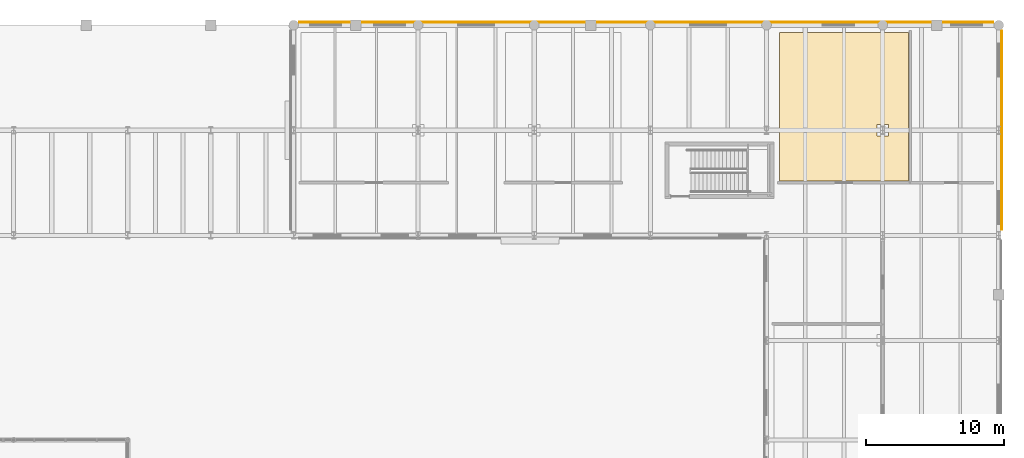
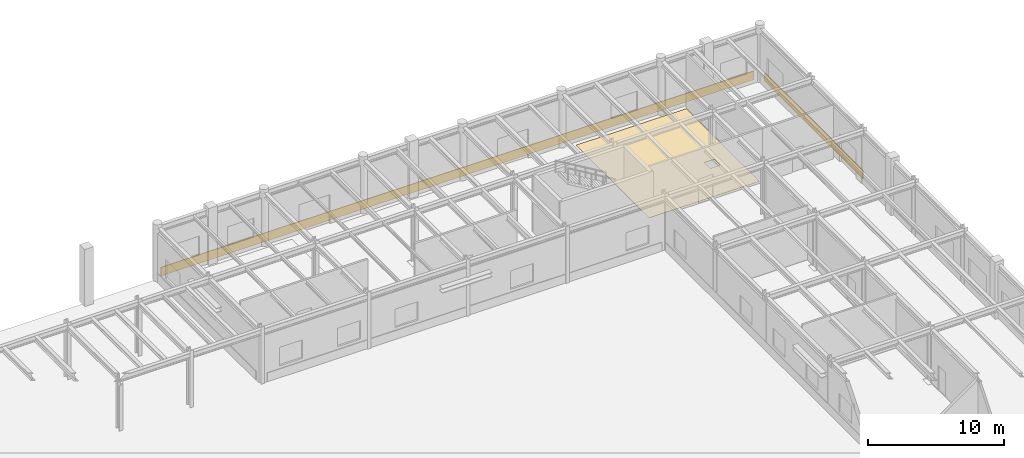
# One storey, part 64 of 64: 3 coverings.
"""IFC4 building model written with IfcOpenShell, lengths in metres."""

from ifc_helpers import new_model, si_unit, direction, frame, origin, origin_2d, place, context, subcontext, project, spatial, polyline, rectangle, outline, extrude, material, layer, layer_set, type_object, element, save


model = new_model("IFC4")

# Units and contexts
model_context = context("Model", 3, precision=1e-05, world=origin(), true_north=direction((0.0, 1.0)))
body_context = subcontext(model_context, "Body", "Model", "MODEL_VIEW")
ifc_project = project(units=[si_unit("LENGTHUNIT", "METRE"), si_unit("AREAUNIT", "SQUARE_METRE"), si_unit("VOLUMEUNIT", "CUBIC_METRE"), si_unit("PLANEANGLEUNIT", "RADIAN"), si_unit("MASSUNIT", "GRAM", prefix="KILO")], contexts=[model_context])

# Site, building, storey
site_placement = place(None, origin())
site = spatial("IfcSite", under=ifc_project, at=site_placement, CompositionType="ELEMENT")
building_placement = place(site_placement, origin())
building = spatial("IfcBuilding", under=site, at=building_placement, Name="Montealbar Specialist Clinic", CompositionType="ELEMENT")
storey_placement = place(building_placement, origin())
storey = spatial("IfcBuildingStorey", under=building, at=storey_placement, Name="L00", CompositionType="ELEMENT", Elevation=0.0)

# Coverings
ifc_material_1 = material(Name="Guadarrama granite ashlar", Category="masonry")
ifc_layer_1 = layer(ifc_material_1, 0.06005859375, Name="Guadarrama granite ashlar", Category="masonry")
ifc_layer_set_1 = layer_set([ifc_layer_1], Name="Guadarrama granite ashlar")
covering_type_1 = type_object("IfcCoveringType", Name="COV-CLAD-GRANITE", PredefinedType="CLADDING", material=ifc_layer_set_1)
covering_1_placement = place(storey_placement, frame((136.5, 111.202880859375, 0.02978515625), z_axis=(0.0, 0.0, 1.0), x_axis=(1.0, 0.0, 0.0)))
element("IfcCovering", 1, at=covering_1_placement, inside=storey, type_object=covering_type_1, Name="Facade Plinth Cladding Band L00-008", PredefinedType="CLADDING", context=body_context, shape_type="SweptSolid", body=[
    extrude(rectangle(XDim=50.199951171875, YDim=0.06005859375, at=origin_2d()), origin(), (0.0, 0.0, 1.0), 0.780029296875),
])
covering_2_placement = place(storey_placement, frame((162.202880859375, 103.39990234375, 0.02978515625), z_axis=(0.0, 0.0, 1.0), x_axis=(0.0, -1.0, 0.0)))
element("IfcCovering", 2, at=covering_2_placement, inside=storey, type_object=covering_type_1, Name="Facade Plinth Cladding Band L00-009", PredefinedType="CLADDING", context=body_context, shape_type="SweptSolid", body=[
    extrude(rectangle(XDim=14.39990234375, YDim=0.06005859375, at=origin_2d()), origin(), (0.0, 0.0, 1.0), 0.780029296875),
])
ifc_material_2 = material(Name="Antimicrobial clinical linoleum", Category="wood")
ifc_layer_2 = layer(ifc_material_2, 0.02001953125, Name="Antimicrobial clinical linoleum", Category="wood")
ifc_layer_set_2 = layer_set([ifc_layer_2], Name="Antimicrobial clinical linoleum")
covering_type_2 = type_object("IfcCoveringType", Name="COV-FLR-LINOLEUM", PredefinedType="FLOORING", material=ifc_layer_set_2)
covering_3_placement = place(storey_placement, origin())
element("IfcCovering", 3, at=covering_3_placement, inside=storey, type_object=covering_type_2, Name="Clinical Flooring Phlebotomy & Blood-Draw Treatment Room", PredefinedType="FLOORING", context=body_context, shape_type="SweptSolid", body=[
    extrude(outline(polyline([(146.1298828125, 110.469970703125), (155.469970703125, 110.469970703125), (155.469970703125, 99.72998046875), (146.1298828125, 99.72998046875), (146.1298828125, 110.469970703125)]), holes=[polyline([(154.02001953125, 103.820068359375), (153.179931640625, 103.820068359375), (153.179931640625, 102.97998046875), (154.02001953125, 102.97998046875), (154.02001953125, 103.820068359375)])]), origin(), (0.0, 0.0, 1.0), 0.02001953125),
])

save(model, "model.ifc")
